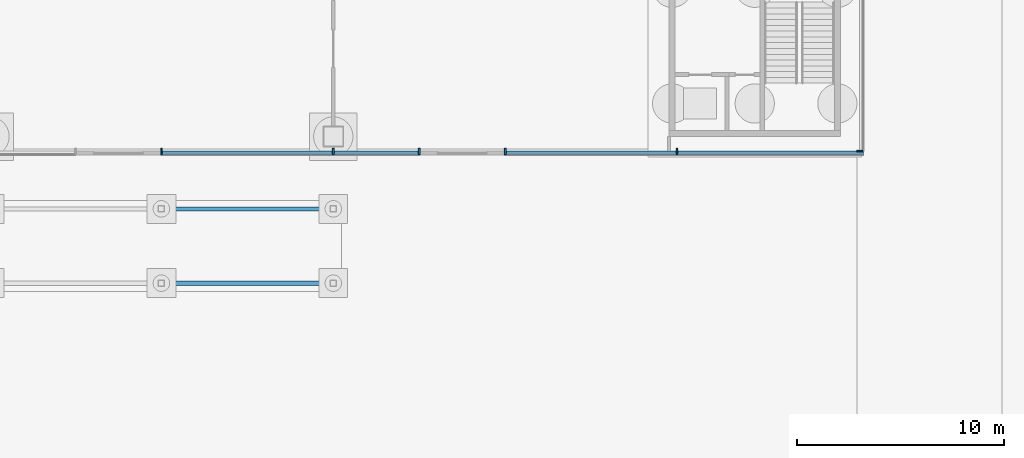
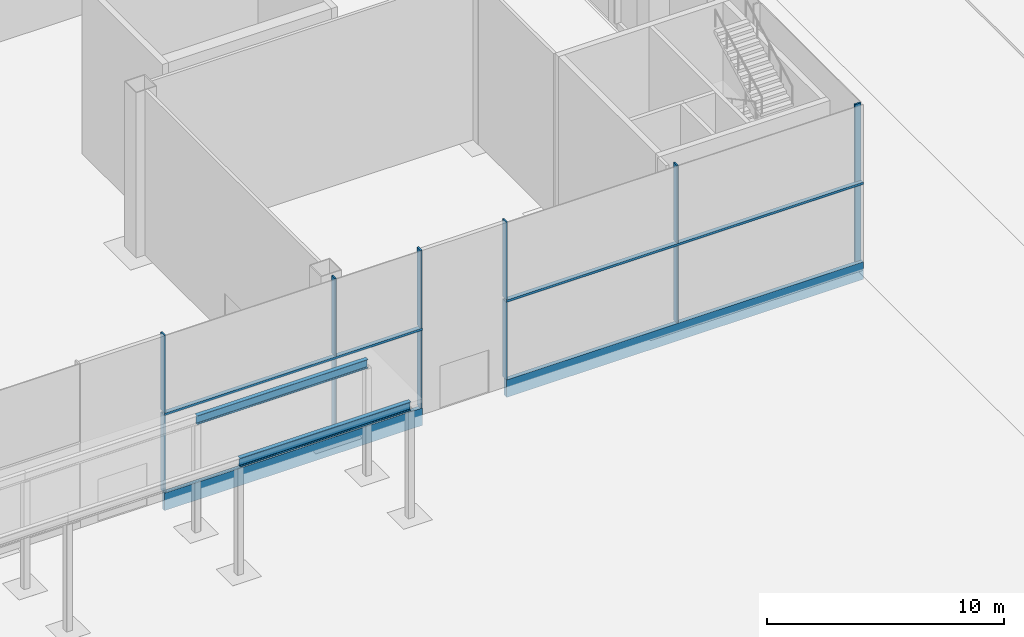
# One storey, part 24 of 113: 16 members, 2 beams, 2 elements without a shape of their own.
"""IFC4 building model written with IfcOpenShell, lengths in metres."""

from ifc_helpers import new_model, si_unit, direction, frame, origin, origin_2d, place, context, subcontext, project, spatial, rectangle, i_section, extrude, material, layer, layer_set, material_profile, profile_set, type_object, element, aggregate, save


model = new_model("IFC4")

# Units and contexts
model_context = context("Model", 3, precision=1e-05, world=origin(), true_north=direction((0.0, 1.0)))
body_context = subcontext(model_context, "Body", "Model", "MODEL_VIEW")
ifc_project = project(units=[si_unit("LENGTHUNIT", "METRE"), si_unit("AREAUNIT", "SQUARE_METRE"), si_unit("VOLUMEUNIT", "CUBIC_METRE"), si_unit("PLANEANGLEUNIT", "RADIAN"), si_unit("MASSUNIT", "GRAM", prefix="KILO")], contexts=[model_context])

# Site, building, storey
site_placement = place(None, origin())
site = spatial("IfcSite", under=ifc_project, at=site_placement, CompositionType="ELEMENT")
building_placement = place(site_placement, origin())
building = spatial("IfcBuilding", under=site, at=building_placement, Name="Hakoniwa Tower and Hamabe Station Hall", CompositionType="ELEMENT")
storey_placement = place(building_placement, origin())
storey = spatial("IfcBuildingStorey", under=building, at=storey_placement, Name="L01", CompositionType="ELEMENT", Elevation=0.0)

# Beams
ifc_material_1 = material(Name="Steel SN490B", Category="steel")
ifc_material_profile_1 = material_profile(ifc_material_1, i_section(OverallWidth=0.199951171875, OverallDepth=0.449951171875, WebThickness=0.009033203125, FlangeThickness=0.013916015625, FilletRadius=0.01806640625, at=origin_2d()), Name="H-450x200x9x14")
ifc_profile_set_1 = profile_set([ifc_material_profile_1], Name="Steel SN490B")
beam_type = type_object("IfcBeamType", Name="CANOPY BEAM H-450x200x9x14", PredefinedType="BEAM", material=ifc_profile_set_1)
for number, where, z_axis, x_axis, name in (
    (1, (135.8701171875, -26.89990234375, 5.72509765625), (1.0, 0.0, 0.0), (0.0, 1.0, 0.0), "Canopy beam S14"),
    (2, (135.8701171875, -30.5, 5.72509765625), (1.0, 0.0, 0.0), (0.0, 1.0, 0.0), "Canopy beam S24"),
):
    element("IfcBeam", number, at=place(storey_placement, frame(where, z_axis=z_axis, x_axis=x_axis)), inside=storey, type_object=beam_type, Name=name, PredefinedType="BEAM", context=body_context, shape_type="SweptSolid", body=[
        extrude(i_section(OverallWidth=0.199951171875, OverallDepth=0.449951171875, WebThickness=0.009033203125, FlangeThickness=0.013916015625, FilletRadius=0.01806640625, at=origin_2d()), origin(), (0.0, 0.0, 1.0), 8.31982421875),
    ])

# Curtain wall, members
ifc_material_2 = material(Name="Dark low-e laminated glass", Category="glass")
ifc_layer = layer(ifc_material_2, 0.199951171875)
ifc_layer_set = layer_set([ifc_layer], Name="CW-7 STATION")
curtain_wall_type = type_object("IfcCurtainWallType", Name="CW-7 STATION", PredefinedType="NOTDEFINED", material=ifc_layer_set)
curtain_wall_1_placement = place(storey_placement, origin())
curtain_wall_1 = element("IfcCurtainWall", 3, at=curtain_wall_1_placement, inside=storey, type_object=curtain_wall_type, Name="Station curtain wall L01 south", PredefinedType="NOTDEFINED")
ifc_material_3 = material(Name="Aluminium 6063-T5 black anodised", Category="aluminium")
ifc_material_profile_2 = material_profile(ifc_material_3, rectangle(XDim=0.199951171875, YDim=0.1201171875, at=origin_2d()), Name="CW MID TRANSOM 120X200")
ifc_profile_set_2 = profile_set([ifc_material_profile_2], Name="Aluminium 6063-T5 black anodised")
member_type_1 = type_object("IfcMemberType", Name="CW MID TRANSOM 120X200", PredefinedType="USERDEFINED", material=ifc_profile_set_2)
member_1_placement = place(storey_placement, frame((135.840087890625, -24.199951171875, 4.39990234375), z_axis=(1.0, 0.0, 0.0), x_axis=(0.0, 1.0, 0.0)))
member_1 = element("IfcMember", 4, at=member_1_placement, type_object=member_type_1, Name="CW-7 transom", ObjectType="TRANSOM", PredefinedType="USERDEFINED", context=body_context, shape_type="SweptSolid", body=[
    extrude(rectangle(XDim=0.199951171875, YDim=0.1201171875, at=origin_2d()), origin(), (0.0, 0.0, 1.0), 12.539794921875),
])
member_2_placement = place(storey_placement, frame((152.47998046875, -24.199951171875, 4.39990234375), z_axis=(1.0, 0.0, 0.0), x_axis=(0.0, 1.0, 0.0)))
member_2 = element("IfcMember", 5, at=member_2_placement, type_object=member_type_1, Name="CW-7 transom", ObjectType="TRANSOM", PredefinedType="USERDEFINED", context=body_context, shape_type="SweptSolid", body=[
    extrude(rectangle(XDim=0.199951171875, YDim=0.1201171875, at=origin_2d()), origin(), (0.0, 0.0, 1.0), 17.3701171875),
])
ifc_material_4 = material(Name="Aluminium 6063-T5 black anodised", Category="aluminium")
ifc_material_profile_3 = material_profile(ifc_material_4, rectangle(XDim=0.199951171875, YDim=0.89990234375, at=origin_2d()), Name="CW SLAB-EDGE BAND 900X200")
ifc_profile_set_3 = profile_set([ifc_material_profile_3], Name="Aluminium 6063-T5 black anodised")
member_type_2 = type_object("IfcMemberType", Name="CW SLAB-EDGE BAND 900X200", PredefinedType="USERDEFINED", material=ifc_profile_set_3)
member_3_placement = place(storey_placement, frame((135.840087890625, -24.199951171875, -0.10009765625), z_axis=(1.0, 0.0, 0.0), x_axis=(0.0, 1.0, 0.0)))
member_3 = element("IfcMember", 6, at=member_3_placement, type_object=member_type_2, Name="CW-7 transom", ObjectType="TRANSOM", PredefinedType="USERDEFINED", context=body_context, shape_type="SweptSolid", body=[
    extrude(rectangle(XDim=0.199951171875, YDim=0.89990234375, at=origin_2d()), origin(), (0.0, 0.0, 1.0), 12.539794921875),
])
member_4_placement = place(storey_placement, frame((152.47998046875, -24.199951171875, -0.10009765625), z_axis=(1.0, 0.0, 0.0), x_axis=(0.0, 1.0, 0.0)))
member_4 = element("IfcMember", 7, at=member_4_placement, type_object=member_type_2, Name="CW-7 transom", ObjectType="TRANSOM", PredefinedType="USERDEFINED", context=body_context, shape_type="SweptSolid", body=[
    extrude(rectangle(XDim=0.199951171875, YDim=0.89990234375, at=origin_2d()), origin(), (0.0, 0.0, 1.0), 17.3701171875),
])
ifc_material_5 = material(Name="Aluminium 6063-T5 black anodised", Category="aluminium")
ifc_material_profile_4 = material_profile(ifc_material_5, rectangle(XDim=0.080078125, YDim=0.300048828125, at=origin_2d()), Name="CW-3 MULLION 80X300")
ifc_profile_set_4 = profile_set([ifc_material_profile_4], Name="Aluminium 6063-T5 black anodised")
member_type_3 = type_object("IfcMemberType", Name="CW-3 MULLION 80X300", PredefinedType="MULLION", material=ifc_profile_set_4)
member_5_placement = place(storey_placement, frame((135.8701171875, -24.1220703125, 0.35009765625), z_axis=(0.0, 0.0, 1.0), x_axis=(1.0, 0.0, 0.0)))
member_5 = element("IfcMember", 8, at=member_5_placement, type_object=member_type_3, Name="CW-7 mullion", PredefinedType="MULLION", context=body_context, shape_type="SweptSolid", body=[
    extrude(rectangle(XDim=0.080078125, YDim=0.300048828125, at=origin_2d()), origin(), (0.0, 0.0, 1.0), 3.989990234375),
])
member_6_placement = place(storey_placement, frame((135.8701171875, -24.1220703125, 4.4599609375), z_axis=(0.0, 0.0, 1.0), x_axis=(1.0, 0.0, 0.0)))
member_6 = element("IfcMember", 9, at=member_6_placement, type_object=member_type_3, Name="CW-7 mullion", PredefinedType="MULLION", context=body_context, shape_type="SweptSolid", body=[
    extrude(rectangle(XDim=0.080078125, YDim=0.300048828125, at=origin_2d()), origin(), (0.0, 0.0, 1.0), 3.989990234375),
])
member_7_placement = place(storey_placement, frame((144.18994140625, -24.1220703125, 0.35009765625), z_axis=(0.0, 0.0, 1.0), x_axis=(1.0, 0.0, 0.0)))
member_7 = element("IfcMember", 10, at=member_7_placement, type_object=member_type_3, Name="CW-7 mullion", PredefinedType="MULLION", context=body_context, shape_type="SweptSolid", body=[
    extrude(rectangle(XDim=0.080078125, YDim=0.300048828125, at=origin_2d()), origin(), (0.0, 0.0, 1.0), 3.989990234375),
])
member_8_placement = place(storey_placement, frame((144.18994140625, -24.1220703125, 4.4599609375), z_axis=(0.0, 0.0, 1.0), x_axis=(1.0, 0.0, 0.0)))
member_8 = element("IfcMember", 11, at=member_8_placement, type_object=member_type_3, Name="CW-7 mullion", PredefinedType="MULLION", context=body_context, shape_type="SweptSolid", body=[
    extrude(rectangle(XDim=0.080078125, YDim=0.300048828125, at=origin_2d()), origin(), (0.0, 0.0, 1.0), 3.989990234375),
])
member_9_placement = place(storey_placement, frame((148.35009765625, -24.1220703125, 0.35009765625), z_axis=(0.0, 0.0, 1.0), x_axis=(1.0, 0.0, 0.0)))
member_9 = element("IfcMember", 12, at=member_9_placement, type_object=member_type_3, Name="CW-7 mullion", PredefinedType="MULLION", context=body_context, shape_type="SweptSolid", body=[
    extrude(rectangle(XDim=0.080078125, YDim=0.300048828125, at=origin_2d()), origin(), (0.0, 0.0, 1.0), 3.989990234375),
])
member_10_placement = place(storey_placement, frame((148.35009765625, -24.1220703125, 4.4599609375), z_axis=(0.0, 0.0, 1.0), x_axis=(1.0, 0.0, 0.0)))
member_10 = element("IfcMember", 13, at=member_10_placement, type_object=member_type_3, Name="CW-7 mullion", PredefinedType="MULLION", context=body_context, shape_type="SweptSolid", body=[
    extrude(rectangle(XDim=0.080078125, YDim=0.300048828125, at=origin_2d()), origin(), (0.0, 0.0, 1.0), 3.989990234375),
])
member_11_placement = place(storey_placement, frame((152.510009765625, -24.1220703125, 0.35009765625), z_axis=(0.0, 0.0, 1.0), x_axis=(1.0, 0.0, 0.0)))
member_11 = element("IfcMember", 14, at=member_11_placement, type_object=member_type_3, Name="CW-7 mullion", PredefinedType="MULLION", context=body_context, shape_type="SweptSolid", body=[
    extrude(rectangle(XDim=0.080078125, YDim=0.300048828125, at=origin_2d()), origin(), (0.0, 0.0, 1.0), 3.989990234375),
])
member_12_placement = place(storey_placement, frame((152.510009765625, -24.1220703125, 4.4599609375), z_axis=(0.0, 0.0, 1.0), x_axis=(1.0, 0.0, 0.0)))
member_12 = element("IfcMember", 15, at=member_12_placement, type_object=member_type_3, Name="CW-7 mullion", PredefinedType="MULLION", context=body_context, shape_type="SweptSolid", body=[
    extrude(rectangle(XDim=0.080078125, YDim=0.300048828125, at=origin_2d()), origin(), (0.0, 0.0, 1.0), 3.989990234375),
])
member_13_placement = place(storey_placement, frame((160.830078125, -24.1220703125, 0.35009765625), z_axis=(0.0, 0.0, 1.0), x_axis=(1.0, 0.0, 0.0)))
member_13 = element("IfcMember", 16, at=member_13_placement, type_object=member_type_3, Name="CW-7 mullion", PredefinedType="MULLION", context=body_context, shape_type="SweptSolid", body=[
    extrude(rectangle(XDim=0.080078125, YDim=0.300048828125, at=origin_2d()), origin(), (0.0, 0.0, 1.0), 3.989990234375),
])
member_14_placement = place(storey_placement, frame((160.830078125, -24.1220703125, 4.4599609375), z_axis=(0.0, 0.0, 1.0), x_axis=(1.0, 0.0, 0.0)))
member_14 = element("IfcMember", 17, at=member_14_placement, type_object=member_type_3, Name="CW-7 mullion", PredefinedType="MULLION", context=body_context, shape_type="SweptSolid", body=[
    extrude(rectangle(XDim=0.080078125, YDim=0.300048828125, at=origin_2d()), origin(), (0.0, 0.0, 1.0), 3.989990234375),
])
aggregate(curtain_wall_1, [member_5, member_6, member_7, member_8, member_9, member_10, member_11, member_12, member_13, member_14, member_3, member_1, member_4, member_2])

curtain_wall_2_placement = place(storey_placement, origin())
curtain_wall_2 = element("IfcCurtainWall", 18, at=curtain_wall_2_placement, inside=storey, type_object=curtain_wall_type, Name="Station curtain wall L01 east", PredefinedType="NOTDEFINED")
member_15_placement = place(storey_placement, frame((169.672119140625, -24.10009765625, 0.35009765625), z_axis=(0.0, 0.0, 1.0), x_axis=(0.0, 1.0, 0.0)))
member_15 = element("IfcMember", 19, at=member_15_placement, type_object=member_type_3, Name="CW-7 mullion", PredefinedType="MULLION", context=body_context, shape_type="SweptSolid", body=[
    extrude(rectangle(XDim=0.080078125, YDim=0.300048828125, at=origin_2d()), origin(), (0.0, 0.0, 1.0), 3.989990234375),
])
member_16_placement = place(storey_placement, frame((169.672119140625, -24.10009765625, 4.4599609375), z_axis=(0.0, 0.0, 1.0), x_axis=(0.0, 1.0, 0.0)))
member_16 = element("IfcMember", 20, at=member_16_placement, type_object=member_type_3, Name="CW-7 mullion", PredefinedType="MULLION", context=body_context, shape_type="SweptSolid", body=[
    extrude(rectangle(XDim=0.080078125, YDim=0.300048828125, at=origin_2d()), origin(), (0.0, 0.0, 1.0), 3.989990234375),
])
aggregate(curtain_wall_2, [member_15, member_16])

save(model, "model.ifc")
